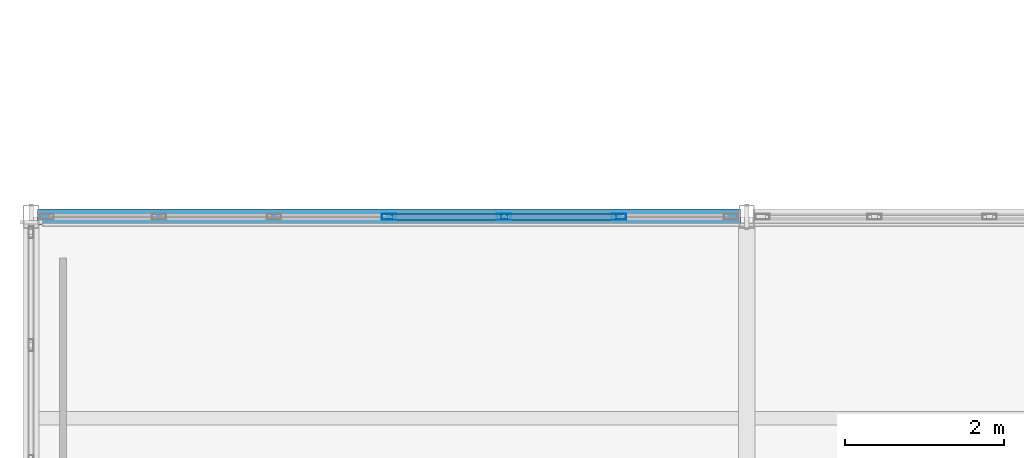
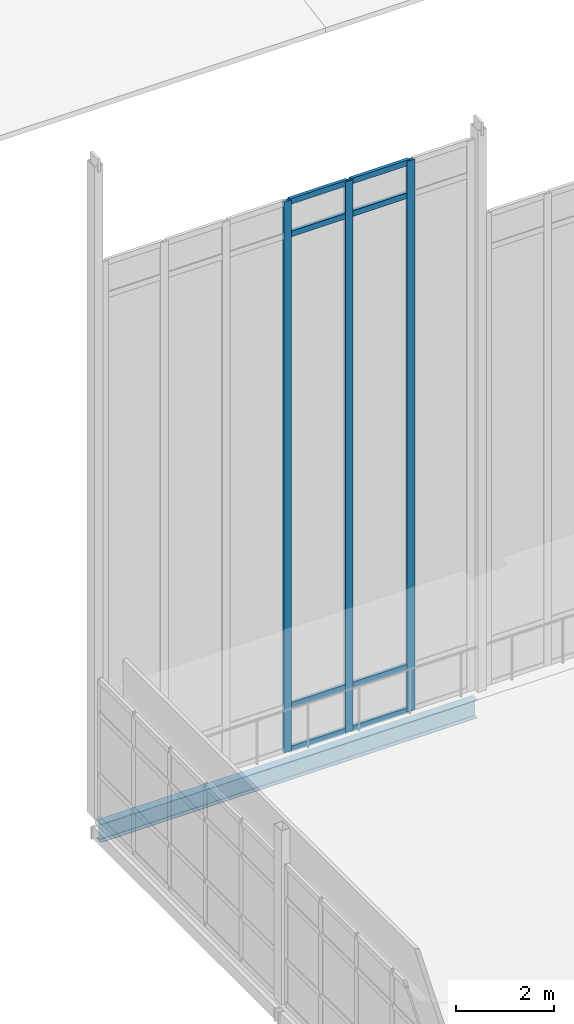
# One storey, part 43 of 166: 11 members, 1 beam, 1 element without a shape of its own.
"""IFC4 building model written with IfcOpenShell, lengths in metres."""

from ifc_helpers import new_model, si_unit, direction, frame, origin, origin_2d, place, context, subcontext, project, spatial, hollow_rectangle, i_section, extrude, material, material_profile, profile_set, type_object, element, aggregate, save


model = new_model("IFC4")

# Units and contexts
model_context = context("Model", 3, precision=1e-05, world=origin(), true_north=direction((0.0, 1.0)))
body_context = subcontext(model_context, "Body", "Model", "MODEL_VIEW")
ifc_project = project(units=[si_unit("LENGTHUNIT", "METRE"), si_unit("AREAUNIT", "SQUARE_METRE"), si_unit("VOLUMEUNIT", "CUBIC_METRE"), si_unit("PLANEANGLEUNIT", "RADIAN"), si_unit("MASSUNIT", "GRAM", prefix="KILO")], contexts=[model_context])

# Site, building, storey
site_placement = place(None, origin())
site = spatial("IfcSite", under=ifc_project, at=site_placement, CompositionType="ELEMENT")
building_placement = place(site_placement, origin())
building = spatial("IfcBuilding", under=site, at=building_placement, Name="Caisbarro Railhouse Central Library", CompositionType="ELEMENT")
storey_placement = place(building_placement, frame((0.0, 0.0, 9.360107421875)))
storey = spatial("IfcBuildingStorey", under=building, at=storey_placement, Name="L02", CompositionType="ELEMENT", Elevation=9.360107421875)

# Beam
ifc_material_1 = material(Name="Steel ASTM A572 Grade 50", Category="steel")
ifc_material_profile_1 = material_profile(ifc_material_1, i_section(OverallWidth=0.18994140625, OverallDepth=0.45703125, WebThickness=0.009033203125, FlangeThickness=0.014404296875, FilletRadius=0.01806640625, at=origin_2d()), Name="W460X74.0")
ifc_profile_set_1 = profile_set([ifc_material_profile_1], Name="Steel ASTM A572 Grade 50")
beam_type = type_object("IfcBeamType", Name="BM-SP01", PredefinedType="SPANDREL", material=ifc_profile_set_1)
beam_placement = place(storey_placement, frame((0.080078125, 60.800048828125, -0.448486328125), z_axis=(1.0, 0.0, 0.0), x_axis=(0.0, 1.0, 0.0)))
element("IfcBeam", 1, at=beam_placement, inside=storey, type_object=beam_type, Name="SP01 beam L02 #1380", PredefinedType="SPANDREL", context=body_context, shape_type="SweptSolid", body=[
    extrude(i_section(OverallWidth=0.18994140625, OverallDepth=0.45703125, WebThickness=0.009033203125, FlangeThickness=0.014404296875, FilletRadius=0.01806640625, at=origin_2d()), origin(), (0.0, 0.0, 1.0), 8.83984375),
])

# Curtain wall, members
ifc_material_2 = material(Name="Anodised architectural aluminium", Category="aluminium")
curtain_wall_type = type_object("IfcCurtainWallType", Name="CW-CW05", PredefinedType="NOTDEFINED", material=ifc_material_2)
curtain_wall_placement = place(storey_placement, origin())
curtain_wall = element("IfcCurtainWall", 2, at=curtain_wall_placement, inside=storey, type_object=curtain_wall_type, Name="CW05 curtain wall L02 #3", PredefinedType="NOTDEFINED")
ifc_material_profile_2 = material_profile(ifc_material_2, hollow_rectangle(XDim=0.074951171875, YDim=0.179931640625, WallThickness=0.00439453125, at=origin_2d()), Name="ALU-MUL-75X180")
ifc_profile_set_2 = profile_set([ifc_material_profile_2], Name="Anodised architectural aluminium")
member_type_1 = type_object("IfcMemberType", Name="CWM-M01", PredefinedType="MULLION", material=ifc_profile_set_2)
member_1_placement = place(storey_placement, frame((4.5, 60.800048828125, 0.0), z_axis=(0.0, 0.0, 1.0), x_axis=(0.0, 1.0, 0.0)))
member_1 = element("IfcMember", 3, at=member_1_placement, type_object=member_type_1, Name="CW05 mullion 4", PredefinedType="MULLION", context=body_context, shape_type="SweptSolid", body=[
    extrude(hollow_rectangle(XDim=0.074951171875, YDim=0.179931640625, WallThickness=0.00439453125, at=origin_2d()), origin(), (0.0, 0.0, 1.0), 13.669921875),
])
member_2_placement = place(storey_placement, frame((5.94677734375, 60.800048828125, 0.0), z_axis=(0.0, 0.0, 1.0), x_axis=(0.0, 1.0, 0.0)))
member_2 = element("IfcMember", 4, at=member_2_placement, type_object=member_type_1, Name="CW05 mullion 5", PredefinedType="MULLION", context=body_context, shape_type="SweptSolid", body=[
    extrude(hollow_rectangle(XDim=0.074951171875, YDim=0.179931640625, WallThickness=0.00439453125, at=origin_2d()), origin(), (0.0, 0.0, 1.0), 13.669921875),
])
member_3_placement = place(storey_placement, frame((7.393310546875, 60.800048828125, 0.0), z_axis=(0.0, 0.0, 1.0), x_axis=(0.0, 1.0, 0.0)))
member_3 = element("IfcMember", 5, at=member_3_placement, type_object=member_type_1, Name="CW05 mullion 6", PredefinedType="MULLION", context=body_context, shape_type="SweptSolid", body=[
    extrude(hollow_rectangle(XDim=0.074951171875, YDim=0.179931640625, WallThickness=0.00439453125, at=origin_2d()), origin(), (0.0, 0.0, 1.0), 13.669921875),
])
ifc_material_profile_3 = material_profile(ifc_material_2, hollow_rectangle(XDim=0.074951171875, YDim=0.139892578125, WallThickness=0.00390625, at=origin_2d()), Name="ALU-TRN-75X140")
ifc_profile_set_3 = profile_set([ifc_material_profile_3], Name="Anodised architectural aluminium")
member_type_2 = type_object("IfcMemberType", Name="CWT-T01", PredefinedType="USERDEFINED", material=ifc_profile_set_3)
member_4_placement = place(storey_placement, frame((4.53759765625, 60.800048828125, 0.037353515625), z_axis=(1.0, 0.0, 0.0), x_axis=(0.0, 1.0, 0.0)))
member_4 = element("IfcMember", 6, at=member_4_placement, type_object=member_type_2, Name="CW05 transom 4.1", ObjectType="TRANSOM", PredefinedType="USERDEFINED", context=body_context, shape_type="SweptSolid", body=[
    extrude(hollow_rectangle(XDim=0.074951171875, YDim=0.139892578125, WallThickness=0.00390625, at=origin_2d()), origin(), (0.0, 0.0, 1.0), 1.37158203125),
])
member_5_placement = place(storey_placement, frame((4.53759765625, 60.800048828125, 1.119873046875), z_axis=(1.0, 0.0, 0.0), x_axis=(0.0, 1.0, 0.0)))
member_5 = element("IfcMember", 7, at=member_5_placement, type_object=member_type_2, Name="CW05 transom 4.2", ObjectType="TRANSOM", PredefinedType="USERDEFINED", context=body_context, shape_type="SweptSolid", body=[
    extrude(hollow_rectangle(XDim=0.074951171875, YDim=0.139892578125, WallThickness=0.00390625, at=origin_2d()), origin(), (0.0, 0.0, 1.0), 1.37158203125),
])
member_6_placement = place(storey_placement, frame((4.53759765625, 60.800048828125, 12.81982421875), z_axis=(1.0, 0.0, 0.0), x_axis=(0.0, 1.0, 0.0)))
member_6 = element("IfcMember", 8, at=member_6_placement, type_object=member_type_2, Name="CW05 transom 4.3", ObjectType="TRANSOM", PredefinedType="USERDEFINED", context=body_context, shape_type="SweptSolid", body=[
    extrude(hollow_rectangle(XDim=0.074951171875, YDim=0.139892578125, WallThickness=0.00390625, at=origin_2d()), origin(), (0.0, 0.0, 1.0), 1.37158203125),
])
member_7_placement = place(storey_placement, frame((4.53759765625, 60.800048828125, 13.63232421875), z_axis=(1.0, 0.0, 0.0), x_axis=(0.0, 1.0, 0.0)))
member_7 = element("IfcMember", 9, at=member_7_placement, type_object=member_type_2, Name="CW05 transom 4.4", ObjectType="TRANSOM", PredefinedType="USERDEFINED", context=body_context, shape_type="SweptSolid", body=[
    extrude(hollow_rectangle(XDim=0.074951171875, YDim=0.139892578125, WallThickness=0.00390625, at=origin_2d()), origin(), (0.0, 0.0, 1.0), 1.37158203125),
])
member_8_placement = place(storey_placement, frame((5.984130859375, 60.800048828125, 0.037353515625), z_axis=(1.0, 0.0, 0.0), x_axis=(0.0, 1.0, 0.0)))
member_8 = element("IfcMember", 10, at=member_8_placement, type_object=member_type_2, Name="CW05 transom 5.1", ObjectType="TRANSOM", PredefinedType="USERDEFINED", context=body_context, shape_type="SweptSolid", body=[
    extrude(hollow_rectangle(XDim=0.074951171875, YDim=0.139892578125, WallThickness=0.00390625, at=origin_2d()), origin(), (0.0, 0.0, 1.0), 1.37158203125),
])
member_9_placement = place(storey_placement, frame((5.984130859375, 60.800048828125, 1.119873046875), z_axis=(1.0, 0.0, 0.0), x_axis=(0.0, 1.0, 0.0)))
member_9 = element("IfcMember", 11, at=member_9_placement, type_object=member_type_2, Name="CW05 transom 5.2", ObjectType="TRANSOM", PredefinedType="USERDEFINED", context=body_context, shape_type="SweptSolid", body=[
    extrude(hollow_rectangle(XDim=0.074951171875, YDim=0.139892578125, WallThickness=0.00390625, at=origin_2d()), origin(), (0.0, 0.0, 1.0), 1.37158203125),
])
member_10_placement = place(storey_placement, frame((5.984130859375, 60.800048828125, 12.81982421875), z_axis=(1.0, 0.0, 0.0), x_axis=(0.0, 1.0, 0.0)))
member_10 = element("IfcMember", 12, at=member_10_placement, type_object=member_type_2, Name="CW05 transom 5.3", ObjectType="TRANSOM", PredefinedType="USERDEFINED", context=body_context, shape_type="SweptSolid", body=[
    extrude(hollow_rectangle(XDim=0.074951171875, YDim=0.139892578125, WallThickness=0.00390625, at=origin_2d()), origin(), (0.0, 0.0, 1.0), 1.37158203125),
])
member_11_placement = place(storey_placement, frame((5.984130859375, 60.800048828125, 13.63232421875), z_axis=(1.0, 0.0, 0.0), x_axis=(0.0, 1.0, 0.0)))
member_11 = element("IfcMember", 13, at=member_11_placement, type_object=member_type_2, Name="CW05 transom 5.4", ObjectType="TRANSOM", PredefinedType="USERDEFINED", context=body_context, shape_type="SweptSolid", body=[
    extrude(hollow_rectangle(XDim=0.074951171875, YDim=0.139892578125, WallThickness=0.00390625, at=origin_2d()), origin(), (0.0, 0.0, 1.0), 1.37158203125),
])
aggregate(curtain_wall, [member_1, member_2, member_3, member_4, member_5, member_6, member_7, member_8, member_9, member_10, member_11])

save(model, "model.ifc")
